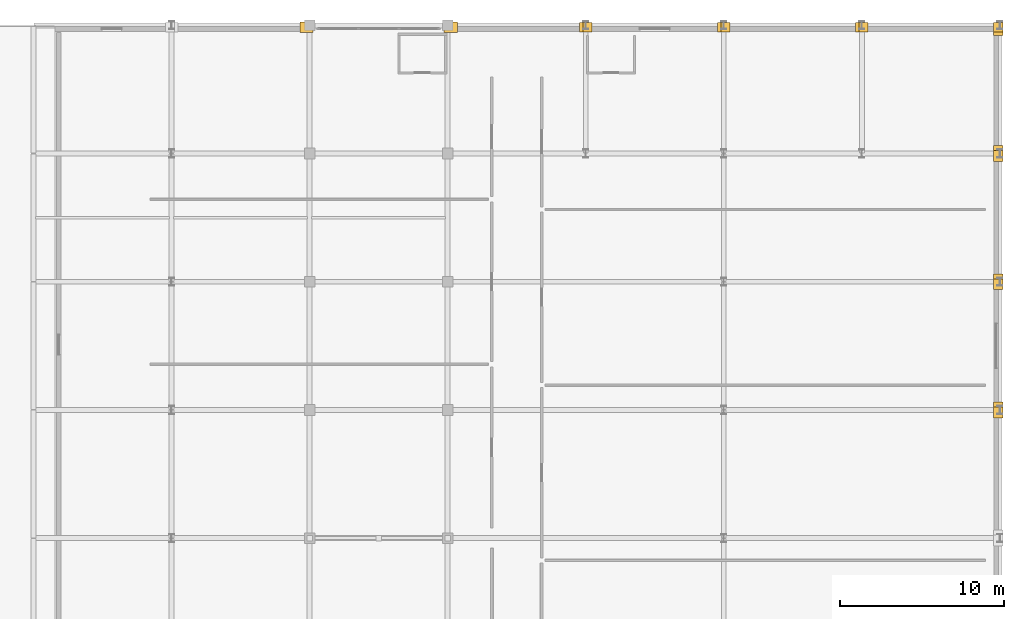
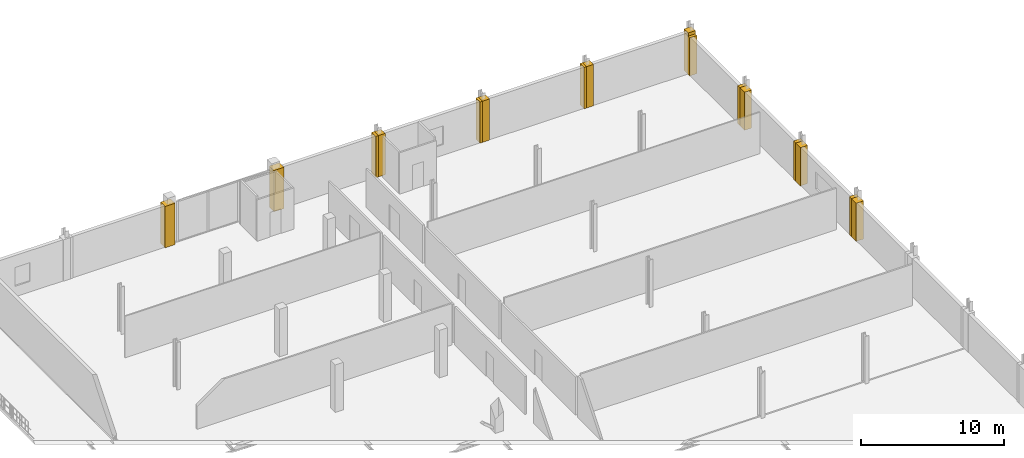
# One storey, part 41 of 41: 16 coverings.
"""IFC4 building model written with IfcOpenShell, lengths in metres."""

import ifcopenshell
import ifcopenshell.guid

model = None  # the IFC model being written
_history = None  # IfcOwnerHistory: only IFC2X3 demands one
_inside = {}  # id of a spatial element -> (the spatial element, [elements in it])
_under = {}  # id of a project, library or spatial element -> (it, [spatial elements below it])
_declared = {}  # id of a project -> (the project, [libraries it declares])
_typed = {}  # id of a type object -> (the type object, [elements of that type])
_made_of = {}  # id of a material, layer set ... -> (it, [elements and type objects made of it])


def new_model(schema):
    """Start an empty IFC model of exactly this schema.

    Asked for "IFC4X3", IfcOpenShell would pick the latest addendum, in which some entities
    have other attributes; the version numbers below select the first issue.
    IFC2X3 requires an IfcOwnerHistory on every rooted entity: one is made here for all.
    """
    global model, _history
    if schema == "IFC4X3":
        model = ifcopenshell.file(schema_version=(4, 3, 0, 0))
    else:
        model = ifcopenshell.file(schema=schema)
    _inside.clear()
    _under.clear()
    _declared.clear()
    _typed.clear()
    _made_of.clear()
    _history = None
    if model.schema == "IFC2X3":
        org = make("IfcOrganization", Name="unknown")
        user = make(
            "IfcPersonAndOrganization",
            ThePerson=make("IfcPerson", FamilyName="unknown"),
            TheOrganization=org,
        )
        app = make(
            "IfcApplication",
            ApplicationDeveloper=org,
            Version="unknown",
            ApplicationFullName="unknown",
            ApplicationIdentifier="unknown",
        )
        _history = make(
            "IfcOwnerHistory",
            OwningUser=user,
            OwningApplication=app,
            ChangeAction="ADDED",
            CreationDate=0,
        )
    return model


def make(cls, **values):
    """One entity of the class cls with the attributes given. An attribute that is None is left unset."""
    return model.create_entity(
        cls, **{name: value for name, value in values.items() if value is not None}
    )


def rooted(cls, **values):
    """An entity with a GlobalId (a new one), such as an element, a storey or a relation."""
    return make(cls, GlobalId=ifcopenshell.guid.new(), OwnerHistory=_history, **values)


def si_unit(unit_type, name, prefix=None):
    """IfcSIUnit, for example si_unit("LENGTHUNIT", "METRE", prefix="MILLI")."""
    return make("IfcSIUnit", UnitType=unit_type, Prefix=prefix, Name=name)


def assignment(units):
    """IfcUnitAssignment: the units of a project."""
    return None if units is None else make("IfcUnitAssignment", Units=units)


def point(xyz):
    """IfcCartesianPoint."""
    return None if xyz is None else make("IfcCartesianPoint", Coordinates=xyz)


def direction(xyz):
    """IfcDirection."""
    return None if xyz is None else make("IfcDirection", DirectionRatios=xyz)


def frame(location, z_axis=None, x_axis=None):
    """IfcAxis2Placement3D, a coordinate frame: its origin and axes. An axis left out is left unset."""
    return make(
        "IfcAxis2Placement3D",
        Location=point(location),
        Axis=direction(z_axis),
        RefDirection=direction(x_axis),
    )


def origin():
    """The frame at (0, 0, 0) with its axes left unset."""
    return frame((0.0, 0.0, 0.0))


def place(relative_to, where):
    """IfcLocalPlacement: puts the frame where relative to a parent placement (None: the world)."""
    return make(
        "IfcLocalPlacement", PlacementRelTo=relative_to, RelativePlacement=where
    )


def context(
    kind, dimensions, precision=None, world=None, true_north=None, identifier=None
):
    """IfcGeometricRepresentationContext, for example the 3D "Model" context."""
    return make(
        "IfcGeometricRepresentationContext",
        ContextIdentifier=identifier,
        ContextType=kind,
        CoordinateSpaceDimension=dimensions,
        Precision=precision,
        WorldCoordinateSystem=world,
        TrueNorth=true_north,
    )


def subcontext(parent, identifier, kind, view, scale=None):
    """IfcGeometricRepresentationSubContext, for example "Body" below "Model"."""
    return make(
        "IfcGeometricRepresentationSubContext",
        ContextIdentifier=identifier,
        ContextType=kind,
        ParentContext=parent,
        TargetScale=scale,
        TargetView=view,
    )


def project(units=None, contexts=None):
    """IfcProject with its units and contexts."""
    return rooted(
        "IfcProject",
        Name="project",
        RepresentationContexts=contexts,
        UnitsInContext=assignment(units),
    )


def spatial(cls, under=None, at=None, **own):
    """A site, building, storey or space (cls), placed at a placement, below another one or the project."""
    s = rooted(cls, ObjectPlacement=at, **own)
    if under is not None:
        _under.setdefault(under.id(), (under, []))[1].append(s)
    return s


def polyline(points):
    """IfcPolyline through the points."""
    return make("IfcPolyline", Points=[point(p) for p in points])


def outline(outer, holes=None, kind="AREA"):
    """IfcArbitraryClosedProfileDef: a profile drawn as a closed curve; with holes, ...WithVoids."""
    if holes is None:
        return make("IfcArbitraryClosedProfileDef", ProfileType=kind, OuterCurve=outer)
    return make(
        "IfcArbitraryProfileDefWithVoids",
        ProfileType=kind,
        OuterCurve=outer,
        InnerCurves=holes,
    )


def extrude(swept, where, along, depth):
    """IfcExtrudedAreaSolid: the profile swept, set in the frame where, extruded along a direction by depth."""
    return make(
        "IfcExtrudedAreaSolid",
        SweptArea=swept,
        Position=where,
        ExtrudedDirection=direction(along),
        Depth=depth,
    )


def shape(context_of_items, identifier, shape_type, items):
    """IfcShapeRepresentation: the items that make up one representation, for example the "Body"."""
    return make(
        "IfcShapeRepresentation",
        ContextOfItems=context_of_items,
        RepresentationIdentifier=identifier,
        RepresentationType=shape_type,
        Items=items,
    )


def material(Name=None, Category=None):
    """IfcMaterial."""
    return make("IfcMaterial", Name=Name, Category=Category)


def layer(
    of_material, thickness, ventilated=None, Name=None, Category=None, Priority=None
):
    """IfcMaterialLayer: one layer of a wall or slab, of a material (None: an air gap)."""
    return make(
        "IfcMaterialLayer",
        Material=of_material,
        LayerThickness=thickness,
        IsVentilated=ventilated,
        Name=Name,
        Category=Category,
        Priority=Priority,
    )


def layer_set(layers, Name=None):
    """IfcMaterialLayerSet."""
    return make("IfcMaterialLayerSet", MaterialLayers=layers, LayerSetName=Name)


def made_of(thing, what):
    """Note that an element or type object is made of a material, layer set ...; save() writes the relation."""
    if what is not None:
        _made_of.setdefault(what.id(), (what, []))[1].append(thing)
    return thing


def type_object(cls, material=None, **own):
    """A type object (cls), such as IfcWallType, which elements share."""
    return made_of(rooted(cls, **own), material)


def element(
    cls,
    number,
    at=None,
    inside=None,
    cuts=None,
    type_object=None,
    material=None,
    context=None,
    identifier="Body",
    shape_type=None,
    held_by="IfcProductDefinitionShape",
    body=None,
    shapes=None,
    **own,
):
    """One element of the class cls, such as IfcWall. Its Tag is "e" and its number.

    at: its placement. inside: the storey or other place that contains it. cuts: it is an
    opening in that element (IfcRelVoidsElement). A single representation is given by context,
    identifier, shape_type and body (its items); several are given by shapes. held_by: the class
    of the entity that holds the representations. save() writes the other relations.
    """
    e = rooted(cls, Tag="e%d" % number, ObjectPlacement=at, **own)
    if body is not None:
        shapes = [shape(context, identifier, shape_type, body)]
    if shapes is not None:
        e.Representation = make(held_by, Representations=shapes)
    if inside is not None:
        _inside.setdefault(inside.id(), (inside, []))[1].append(e)
    if cuts is not None:
        rooted(
            "IfcRelVoidsElement", RelatingBuildingElement=cuts, RelatedOpeningElement=e
        )
    if type_object is not None:
        _typed.setdefault(type_object.id(), (type_object, []))[1].append(e)
    return made_of(e, material)


def aggregate(whole, parts):
    """IfcRelAggregates: a whole, such as a stair, and the parts it consists of."""
    return rooted("IfcRelAggregates", RelatingObject=whole, RelatedObjects=parts)


def save(model, path):
    """Write the relations noted so far, then the file.

    IfcRelAggregates (storeys below a building ...), IfcRelContainedInSpatialStructure (elements
    in a storey), IfcRelDefinesByType, IfcRelAssociatesMaterial and IfcRelDeclares: one each for
    every whole, place, type object, material and project.
    """
    for whole, parts in _under.values():
        aggregate(whole, parts)
    for where, things in _inside.values():
        rooted(
            "IfcRelContainedInSpatialStructure",
            RelatedElements=things,
            RelatingStructure=where,
        )
    for kind, things in _typed.values():
        rooted("IfcRelDefinesByType", RelatedObjects=things, RelatingType=kind)
    for what, things in _made_of.values():
        rooted("IfcRelAssociatesMaterial", RelatedObjects=things, RelatingMaterial=what)
    for by, libraries in _declared.values():
        rooted("IfcRelDeclares", RelatingContext=by, RelatedDefinitions=libraries)
    model.write(path)


model = new_model("IFC4")

# Units and contexts
model_context = context("Model", 3, precision=1e-05, world=origin(), true_north=direction((0.0, 1.0)))
body_context = subcontext(model_context, "Body", "Model", "MODEL_VIEW")
ifc_project = project(units=[si_unit("LENGTHUNIT", "METRE"), si_unit("AREAUNIT", "SQUARE_METRE"), si_unit("VOLUMEUNIT", "CUBIC_METRE"), si_unit("PLANEANGLEUNIT", "RADIAN"), si_unit("MASSUNIT", "GRAM", prefix="KILO")], contexts=[model_context])

# Site, building, storey
site_placement = place(None, origin())
site = spatial("IfcSite", under=ifc_project, at=site_placement, CompositionType="ELEMENT")
building_placement = place(site_placement, origin())
building = spatial("IfcBuilding", under=site, at=building_placement, Name="Nabrawat Pavilion Hospital", CompositionType="ELEMENT")
storey_placement = place(building_placement, frame((0.0, 0.0, 18.89990234375)))
storey = spatial("IfcBuildingStorey", under=building, at=storey_placement, Name="L04", CompositionType="ELEMENT", Elevation=18.89990234375)

# Coverings
ifc_material = material(Name="Precast concrete C40/50", Category="concrete")
ifc_layer = layer(ifc_material, 0.360107421875, Name="Precast concrete C40/50")
ifc_layer_set = layer_set([ifc_layer], Name="Precast concrete C40/50")
covering_type = type_object("IfcCoveringType", Name="Architectural Precast Column-Jamb Closure Reveal", PredefinedType="CLADDING", material=ifc_layer_set)
covering_1_placement = place(storey_placement, origin())
element("IfcCovering", 1, at=covering_1_placement, inside=storey, type_object=covering_type, Name="L04 Precast Facade Column-Jamb Weatherseal Closure 0528", PredefinedType="CLADDING", context=body_context, shape_type="SweptSolid", body=[
    extrude(outline(polyline([(151.4111328125, 124.36865234375), (151.4111328125, 125.01123046875), (150.61376953125, 125.01123046875), (150.61376953125, 124.36865234375), (151.4111328125, 124.36865234375)])), origin(), (0.0, 0.0, 1.0), 3.52001953125),
])
covering_2_placement = place(storey_placement, origin())
element("IfcCovering", 2, at=covering_2_placement, inside=storey, type_object=covering_type, Name="L04 Precast Facade Column-Jamb Weatherseal Closure 0529", PredefinedType="CLADDING", context=body_context, shape_type="SweptSolid", body=[
    extrude(outline(polyline([(160.186279296875, 124.36865234375), (160.186279296875, 125.01123046875), (159.388671875, 125.01123046875), (159.388671875, 124.36865234375), (160.186279296875, 124.36865234375)])), origin(), (0.0, 0.0, 1.0), 3.52001953125),
])
covering_3_placement = place(storey_placement, origin())
element("IfcCovering", 3, at=covering_3_placement, inside=storey, type_object=covering_type, Name="L04 Precast Facade Column-Jamb Weatherseal Closure 0530", PredefinedType="CLADDING", context=body_context, shape_type="SweptSolid", body=[
    extrude(outline(polyline([(168.179931640625, 124.39990234375), (168.179931640625, 124.97998046875), (167.6201171875, 124.97998046875), (167.6201171875, 124.39990234375), (168.179931640625, 124.39990234375)])), origin(), (0.0, 0.0, 1.0), 3.52001953125),
])
covering_4_placement = place(storey_placement, origin())
element("IfcCovering", 4, at=covering_4_placement, inside=storey, type_object=covering_type, Name="L04 Precast Facade Column-Jamb Weatherseal Closure 0531", PredefinedType="CLADDING", context=body_context, shape_type="SweptSolid", body=[
    extrude(outline(polyline([(168.3798828125, 124.39990234375), (168.3798828125, 124.97998046875), (167.820068359375, 124.97998046875), (167.820068359375, 124.39990234375), (168.3798828125, 124.39990234375)])), origin(), (0.0, 0.0, 1.0), 3.52001953125),
])
covering_5_placement = place(storey_placement, origin())
element("IfcCovering", 5, at=covering_5_placement, inside=storey, type_object=covering_type, Name="L04 Precast Facade Column-Jamb Weatherseal Closure 0532", PredefinedType="CLADDING", context=body_context, shape_type="SweptSolid", body=[
    extrude(outline(polyline([(176.580078125, 124.39990234375), (176.580078125, 124.97998046875), (176.02001953125, 124.97998046875), (176.02001953125, 124.39990234375), (176.580078125, 124.39990234375)])), origin(), (0.0, 0.0, 1.0), 3.52001953125),
])
covering_6_placement = place(storey_placement, origin())
element("IfcCovering", 6, at=covering_6_placement, inside=storey, type_object=covering_type, Name="L04 Precast Facade Column-Jamb Weatherseal Closure 0533", PredefinedType="CLADDING", context=body_context, shape_type="SweptSolid", body=[
    extrude(outline(polyline([(176.780029296875, 124.39990234375), (176.780029296875, 124.97998046875), (176.219970703125, 124.97998046875), (176.219970703125, 124.39990234375), (176.780029296875, 124.39990234375)])), origin(), (0.0, 0.0, 1.0), 3.52001953125),
])
covering_7_placement = place(storey_placement, origin())
element("IfcCovering", 7, at=covering_7_placement, inside=storey, type_object=covering_type, Name="L04 Precast Facade Column-Jamb Weatherseal Closure 0534", PredefinedType="CLADDING", context=body_context, shape_type="SweptSolid", body=[
    extrude(outline(polyline([(184.97998046875, 124.39990234375), (184.97998046875, 124.97998046875), (184.419921875, 124.97998046875), (184.419921875, 124.39990234375), (184.97998046875, 124.39990234375)])), origin(), (0.0, 0.0, 1.0), 3.52001953125),
])
covering_8_placement = place(storey_placement, origin())
element("IfcCovering", 8, at=covering_8_placement, inside=storey, type_object=covering_type, Name="L04 Precast Facade Column-Jamb Weatherseal Closure 0535", PredefinedType="CLADDING", context=body_context, shape_type="SweptSolid", body=[
    extrude(outline(polyline([(185.179931640625, 124.39990234375), (185.179931640625, 124.97998046875), (184.6201171875, 124.97998046875), (184.6201171875, 124.39990234375), (185.179931640625, 124.39990234375)])), origin(), (0.0, 0.0, 1.0), 3.52001953125),
])
covering_9_placement = place(storey_placement, origin())
element("IfcCovering", 9, at=covering_9_placement, inside=storey, type_object=covering_type, Name="L04 Precast Facade Column-Jamb Weatherseal Closure 0536", PredefinedType="CLADDING", context=body_context, shape_type="SweptSolid", body=[
    extrude(outline(polyline([(193.3798828125, 124.39990234375), (193.3798828125, 124.97998046875), (192.820068359375, 124.97998046875), (192.820068359375, 124.39990234375), (193.3798828125, 124.39990234375)])), origin(), (0.0, 0.0, 1.0), 3.52001953125),
])
covering_10_placement = place(storey_placement, origin())
element("IfcCovering", 10, at=covering_10_placement, inside=storey, type_object=covering_type, Name="L04 Precast Facade Column-Jamb Weatherseal Closure 0576", PredefinedType="CLADDING", context=body_context, shape_type="SweptSolid", body=[
    extrude(outline(polyline([(193.3798828125, 100.919921875), (193.3798828125, 101.580078125), (192.800048828125, 101.580078125), (192.800048828125, 100.919921875), (193.3798828125, 100.919921875)])), origin(), (0.0, 0.0, 1.0), 3.25),
])
covering_11_placement = place(storey_placement, origin())
element("IfcCovering", 11, at=covering_11_placement, inside=storey, type_object=covering_type, Name="L04 Precast Facade Column-Jamb Weatherseal Closure 0577", PredefinedType="CLADDING", context=body_context, shape_type="SweptSolid", body=[
    extrude(outline(polyline([(193.3798828125, 101.219970703125), (193.3798828125, 101.8798828125), (192.800048828125, 101.8798828125), (192.800048828125, 101.219970703125), (193.3798828125, 101.219970703125)])), origin(), (0.0, 0.0, 1.0), 3.25),
])
covering_12_placement = place(storey_placement, origin())
element("IfcCovering", 12, at=covering_12_placement, inside=storey, type_object=covering_type, Name="L04 Precast Facade Column-Jamb Weatherseal Closure 0578", PredefinedType="CLADDING", context=body_context, shape_type="SweptSolid", body=[
    extrude(outline(polyline([(193.3798828125, 108.719970703125), (193.3798828125, 109.3798828125), (192.800048828125, 109.3798828125), (192.800048828125, 108.719970703125), (193.3798828125, 108.719970703125)])), origin(), (0.0, 0.0, 1.0), 3.25),
])
covering_13_placement = place(storey_placement, origin())
element("IfcCovering", 13, at=covering_13_placement, inside=storey, type_object=covering_type, Name="L04 Precast Facade Column-Jamb Weatherseal Closure 0579", PredefinedType="CLADDING", context=body_context, shape_type="SweptSolid", body=[
    extrude(outline(polyline([(193.3798828125, 109.02001953125), (193.3798828125, 109.679931640625), (192.800048828125, 109.679931640625), (192.800048828125, 109.02001953125), (193.3798828125, 109.02001953125)])), origin(), (0.0, 0.0, 1.0), 3.25),
])
covering_14_placement = place(storey_placement, origin())
element("IfcCovering", 14, at=covering_14_placement, inside=storey, type_object=covering_type, Name="L04 Precast Facade Column-Jamb Weatherseal Closure 0580", PredefinedType="CLADDING", context=body_context, shape_type="SweptSolid", body=[
    extrude(outline(polyline([(193.3798828125, 116.52001953125), (193.3798828125, 117.179931640625), (192.800048828125, 117.179931640625), (192.800048828125, 116.52001953125), (193.3798828125, 116.52001953125)])), origin(), (0.0, 0.0, 1.0), 3.25),
])
covering_15_placement = place(storey_placement, origin())
element("IfcCovering", 15, at=covering_15_placement, inside=storey, type_object=covering_type, Name="L04 Precast Facade Column-Jamb Weatherseal Closure 0581", PredefinedType="CLADDING", context=body_context, shape_type="SweptSolid", body=[
    extrude(outline(polyline([(193.3798828125, 116.820068359375), (193.3798828125, 117.47998046875), (192.800048828125, 117.47998046875), (192.800048828125, 116.820068359375), (193.3798828125, 116.820068359375)])), origin(), (0.0, 0.0, 1.0), 3.25),
])
covering_16_placement = place(storey_placement, origin())
element("IfcCovering", 16, at=covering_16_placement, inside=storey, type_object=covering_type, Name="L04 Precast Facade Column-Jamb Weatherseal Closure 0582", PredefinedType="CLADDING", context=body_context, shape_type="SweptSolid", body=[
    extrude(outline(polyline([(193.3798828125, 124.179931640625), (193.3798828125, 124.97998046875), (192.800048828125, 124.97998046875), (192.800048828125, 124.179931640625), (193.3798828125, 124.179931640625)])), origin(), (0.0, 0.0, 1.0), 3.25),
])

save(model, "model.ifc")
